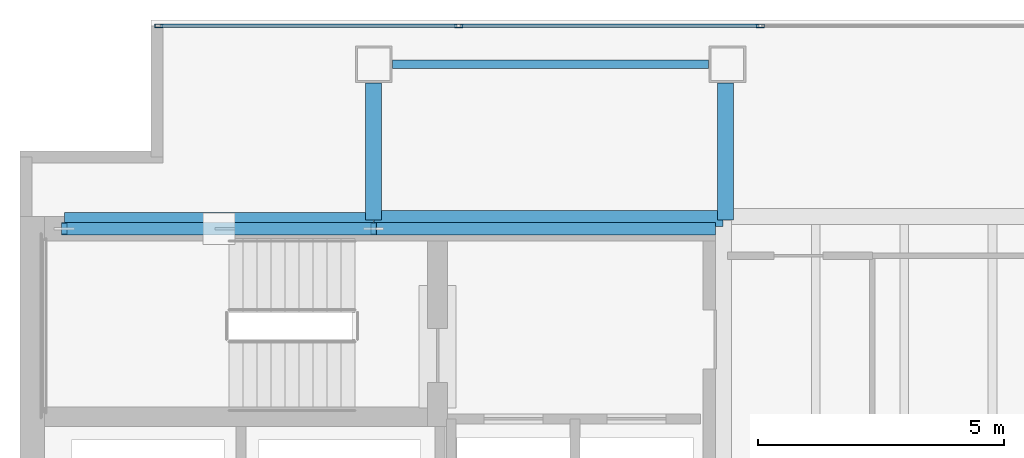
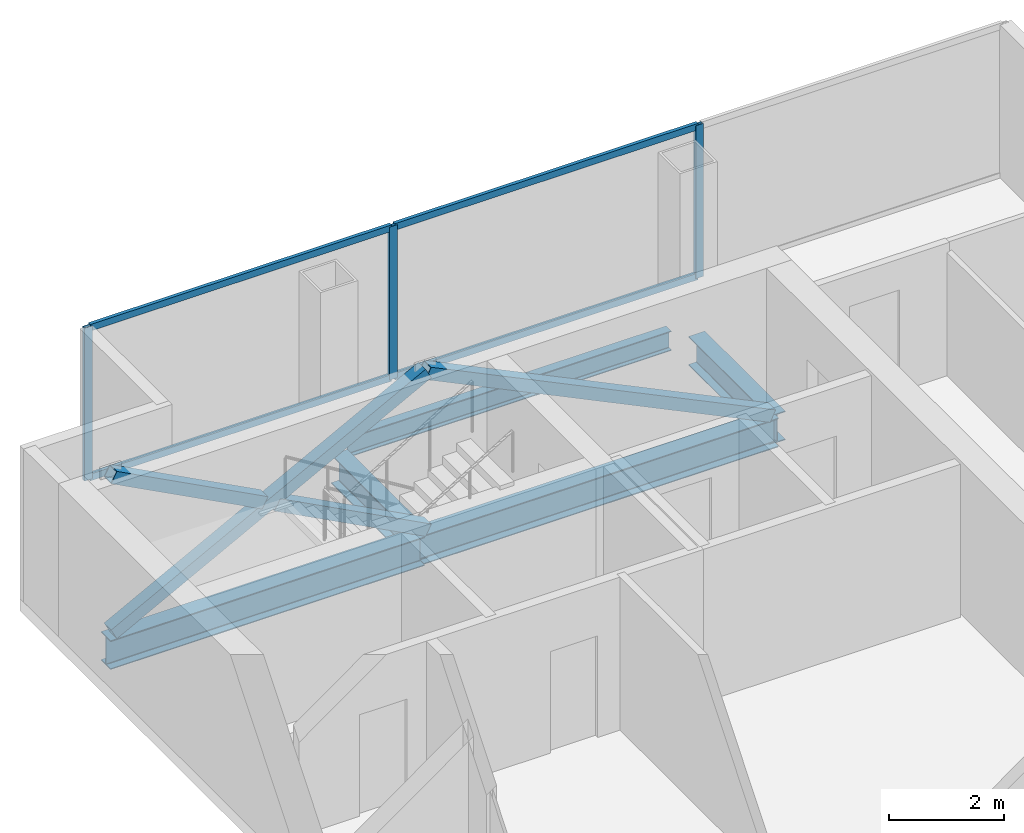
# One storey, part 17 of 23: 11 members, 5 beams, 1 element without a shape of its own.
"""IFC4 building model written with IfcOpenShell, lengths in metres."""

from ifc_helpers import new_model, si_unit, direction, frame, origin, origin_2d, place, context, subcontext, project, spatial, hollow_rectangle, i_section, extrude, material, material_profile, profile_set, type_object, element, aggregate, save


model = new_model("IFC4")

# Units and contexts
model_context = context("Model", 3, precision=1e-05, world=origin(), true_north=direction((0.0, 1.0)))
body_context = subcontext(model_context, "Body", "Model", "MODEL_VIEW")
ifc_project = project(units=[si_unit("LENGTHUNIT", "METRE"), si_unit("AREAUNIT", "SQUARE_METRE"), si_unit("VOLUMEUNIT", "CUBIC_METRE"), si_unit("PLANEANGLEUNIT", "RADIAN"), si_unit("MASSUNIT", "GRAM", prefix="KILO")], contexts=[model_context])

# Site, building, storey
site_placement = place(None, origin())
site = spatial("IfcSite", under=ifc_project, at=site_placement, CompositionType="ELEMENT")
building_placement = place(site_placement, origin())
building = spatial("IfcBuilding", under=site, at=building_placement, Name="Cobrela Telecom Tower", CompositionType="ELEMENT")
storey_placement = place(building_placement, frame((0.0, 0.0, 218.75)))
storey = spatial("IfcBuildingStorey", under=building, at=storey_placement, Name="L56", CompositionType="ELEMENT", Elevation=218.75)

# Beams
ifc_material_1 = material(Name="Steel ASTM A992 Grade 50", Category="steel")
ifc_material_profile_1 = material_profile(ifc_material_1, i_section(OverallWidth=0.324951171875, OverallDepth=0.612060546875, WebThickness=0.0126953125, FlangeThickness=0.01904296875, FilletRadius=0.014892578125, at=origin_2d()), Name="W24X104")
ifc_profile_set_1 = profile_set([ifc_material_profile_1], Name="Steel ASTM A992 Grade 50")
beam_type_1 = type_object("IfcBeamType", Name="BM-GIRD-07", PredefinedType="USERDEFINED", material=ifc_profile_set_1)
beam_1_placement = place(storey_placement, frame((0.905029296875, 35.919921875, -0.56591796875), z_axis=(1.0, 0.0, 0.0), x_axis=(0.0, 1.0, 0.0)))
element("IfcBeam", 1, at=beam_1_placement, inside=storey, type_object=beam_type_1, Name="L56 Primary Girder X20", ObjectType="GIRDER", PredefinedType="USERDEFINED", context=body_context, shape_type="SweptSolid", body=[
    extrude(i_section(OverallWidth=0.324951171875, OverallDepth=0.612060546875, WebThickness=0.0126953125, FlangeThickness=0.01904296875, FilletRadius=0.014892578125, at=origin_2d()), origin(), (0.0, 0.0, 1.0), 6.2900390625),
])
beam_2_placement = place(storey_placement, frame((7.205078125, 35.9599609375, -0.56591796875), z_axis=(1.0, 0.0, 0.0), x_axis=(0.0, 1.0, 0.0)))
element("IfcBeam", 2, at=beam_2_placement, inside=storey, type_object=beam_type_1, Name="L56 Primary Girder X21", ObjectType="GIRDER", PredefinedType="USERDEFINED", context=body_context, shape_type="SweptSolid", body=[
    extrude(i_section(OverallWidth=0.324951171875, OverallDepth=0.612060546875, WebThickness=0.0126953125, FlangeThickness=0.01904296875, FilletRadius=0.014892578125, at=origin_2d()), origin(), (0.0, 0.0, 1.0), 7.10986328125),
])
for number, where, z_axis, x_axis, name in (
    (3, (7.199951171875, 35.925048828125, -0.56591796875), (0.0, 1.0, 0.0), (-1.0, 0.0, 0.0), "L56 Primary Girder Y25"),
    (4, (14.360107421875, 35.925048828125, -0.56591796875), (0.0, 1.0, 0.0), (-1.0, 0.0, 0.0), "L56 Primary Girder Y31"),
):
    element("IfcBeam", number, at=place(storey_placement, frame(where, z_axis=z_axis, x_axis=x_axis)), inside=storey, type_object=beam_type_1, Name=name, ObjectType="GIRDER", PredefinedType="USERDEFINED", context=body_context, shape_type="SweptSolid", body=[
        extrude(i_section(OverallWidth=0.324951171875, OverallDepth=0.612060546875, WebThickness=0.0126953125, FlangeThickness=0.01904296875, FilletRadius=0.014892578125, at=origin_2d()), origin(), (0.0, 0.0, 1.0), 2.794921875),
    ])
ifc_material_profile_2 = material_profile(ifc_material_1, i_section(OverallWidth=0.179931640625, OverallDepth=0.4169921875, WebThickness=0.010986328125, FlangeThickness=0.01806640625, FilletRadius=0.011962890625, at=origin_2d()), Name="W16X57")
ifc_profile_set_2 = profile_set([ifc_material_profile_2], Name="Steel ASTM A992 Grade 50")
beam_type_2 = type_object("IfcBeamType", Name="BM-SPAND-06", PredefinedType="SPANDREL", material=ifc_profile_set_2)
beam_3_placement = place(storey_placement, frame((7.580078125, 39.10009765625, -0.468505859375), z_axis=(1.0, 0.0, 0.0), x_axis=(0.0, 1.0, 0.0)))
element("IfcBeam", 5, at=beam_3_placement, inside=storey, type_object=beam_type_2, Name="L56 Perimeter Spandrel X23", PredefinedType="SPANDREL", context=body_context, shape_type="SweptSolid", body=[
    extrude(i_section(OverallWidth=0.179931640625, OverallDepth=0.4169921875, WebThickness=0.010986328125, FlangeThickness=0.01806640625, FilletRadius=0.011962890625, at=origin_2d()), origin(), (0.0, 0.0, 1.0), 6.43994140625),
])

# Curtain wall, members
ifc_material_2 = material(Name="Anodized Bronze Aluminium 6063-T6", Category="aluminium")
curtain_wall_type = type_object("IfcCurtainWallType", Name="CW-SYS-OFF-LO", PredefinedType="USERDEFINED", material=ifc_material_2)
curtain_wall_placement = place(storey_placement, origin())
curtain_wall = element("IfcCurtainWall", 6, at=curtain_wall_placement, inside=storey, type_object=curtain_wall_type, Name="L56 Unitised Bronze Curtain Wall 07", ObjectType="UNITISED CURTAIN WALL", PredefinedType="USERDEFINED")
ifc_material_profile_3 = material_profile(ifc_material_2, hollow_rectangle(XDim=0.070068359375, YDim=0.159912109375, WallThickness=0.00390625, at=origin_2d()), Name="ALU 70x160x4")
ifc_profile_set_3 = profile_set([ifc_material_profile_3], Name="Anodized Bronze Aluminium 6063-T6")
member_type_1 = type_object("IfcMemberType", Name="CW-SYS-OFF-LO-MUL", PredefinedType="MULLION", material=ifc_profile_set_3)
member_1_placement = place(storey_placement, frame((2.824951171875, 39.8798828125, 0.0), z_axis=(0.0, 0.0, 1.0), x_axis=(0.0, 1.0, 0.0)))
member_1 = element("IfcMember", 7, at=member_1_placement, type_object=member_type_1, Name="CW-OFF-LO mullion 1", PredefinedType="MULLION", context=body_context, shape_type="SweptSolid", body=[
    extrude(hollow_rectangle(XDim=0.070068359375, YDim=0.159912109375, WallThickness=0.00390625, at=origin_2d()), origin(), (0.0, 0.0, 1.0), 3.239990234375),
])
member_2_placement = place(storey_placement, frame((8.929931640625, 39.8798828125, 0.0), z_axis=(0.0, 0.0, 1.0), x_axis=(0.0, 1.0, 0.0)))
member_2 = element("IfcMember", 8, at=member_2_placement, type_object=member_type_1, Name="CW-OFF-LO mullion 2", PredefinedType="MULLION", context=body_context, shape_type="SweptSolid", body=[
    extrude(hollow_rectangle(XDim=0.070068359375, YDim=0.159912109375, WallThickness=0.00390625, at=origin_2d()), origin(), (0.0, 0.0, 1.0), 3.239990234375),
])
member_3_placement = place(storey_placement, frame((15.070068359375, 39.8798828125, 0.0), z_axis=(0.0, 0.0, 1.0), x_axis=(0.0, 1.0, 0.0)))
member_3 = element("IfcMember", 9, at=member_3_placement, type_object=member_type_1, Name="CW-OFF-LO mullion 3", PredefinedType="MULLION", context=body_context, shape_type="SweptSolid", body=[
    extrude(hollow_rectangle(XDim=0.070068359375, YDim=0.159912109375, WallThickness=0.00390625, at=origin_2d()), origin(), (0.0, 0.0, 1.0), 3.239990234375),
])
ifc_material_profile_4 = material_profile(ifc_material_2, hollow_rectangle(XDim=0.070068359375, YDim=0.139892578125, WallThickness=0.00390625, at=origin_2d()), Name="ALU 70x140x4")
ifc_profile_set_4 = profile_set([ifc_material_profile_4], Name="Anodized Bronze Aluminium 6063-T6")
member_type_2 = type_object("IfcMemberType", Name="CW-SYS-OFF-LO-TRN", PredefinedType="USERDEFINED", material=ifc_profile_set_4)
member_4_placement = place(storey_placement, frame((2.860107421875, 39.8798828125, 0.034912109375), z_axis=(1.0, 0.0, 0.0), x_axis=(0.0, 1.0, 0.0)))
member_4 = element("IfcMember", 10, at=member_4_placement, type_object=member_type_2, Name="CW-OFF-LO transom 1.1", ObjectType="TRANSOM", PredefinedType="USERDEFINED", context=body_context, shape_type="SweptSolid", body=[
    extrude(hollow_rectangle(XDim=0.070068359375, YDim=0.139892578125, WallThickness=0.00390625, at=origin_2d()), origin(), (0.0, 0.0, 1.0), 6.034912109375),
])
member_5_placement = place(storey_placement, frame((2.860107421875, 39.8798828125, 3.205078125), z_axis=(1.0, 0.0, 0.0), x_axis=(0.0, 1.0, 0.0)))
member_5 = element("IfcMember", 11, at=member_5_placement, type_object=member_type_2, Name="CW-OFF-LO transom 1.2", ObjectType="TRANSOM", PredefinedType="USERDEFINED", context=body_context, shape_type="SweptSolid", body=[
    extrude(hollow_rectangle(XDim=0.070068359375, YDim=0.139892578125, WallThickness=0.00390625, at=origin_2d()), origin(), (0.0, 0.0, 1.0), 6.034912109375),
])
member_6_placement = place(storey_placement, frame((8.965087890625, 39.8798828125, 0.034912109375), z_axis=(1.0, 0.0, 0.0), x_axis=(0.0, 1.0, 0.0)))
member_6 = element("IfcMember", 12, at=member_6_placement, type_object=member_type_2, Name="CW-OFF-LO transom 2.1", ObjectType="TRANSOM", PredefinedType="USERDEFINED", context=body_context, shape_type="SweptSolid", body=[
    extrude(hollow_rectangle(XDim=0.070068359375, YDim=0.139892578125, WallThickness=0.00390625, at=origin_2d()), origin(), (0.0, 0.0, 1.0), 6.06982421875),
])
member_7_placement = place(storey_placement, frame((8.965087890625, 39.8798828125, 3.205078125), z_axis=(1.0, 0.0, 0.0), x_axis=(0.0, 1.0, 0.0)))
member_7 = element("IfcMember", 13, at=member_7_placement, type_object=member_type_2, Name="CW-OFF-LO transom 2.2", ObjectType="TRANSOM", PredefinedType="USERDEFINED", context=body_context, shape_type="SweptSolid", body=[
    extrude(hollow_rectangle(XDim=0.070068359375, YDim=0.139892578125, WallThickness=0.00390625, at=origin_2d()), origin(), (0.0, 0.0, 1.0), 6.06982421875),
])
aggregate(curtain_wall, [member_1, member_2, member_3, member_4, member_5, member_6, member_7])

# Members
ifc_material_3 = material(Name="Steel ASTM A572 Grade 50", Category="steel")
ifc_material_profile_5 = material_profile(ifc_material_3, hollow_rectangle(XDim=0.25, YDim=0.25, WallThickness=0.013916015625, at=origin_2d()), Name="HSS 250x250x14")
ifc_profile_set_5 = profile_set([ifc_material_profile_5], Name="Steel ASTM A572 Grade 50")
member_type_3 = type_object("IfcMemberType", Name="MBR-EXO-04", PredefinedType="BRACE", material=ifc_profile_set_5)
member_8_placement = place(storey_placement, frame((0.89990234375, 35.75, -0.0400390625), z_axis=(0.884671945606, 0.0, 0.466214058837), x_axis=(0.0, 1.0, 0.0)))
element("IfcMember", 14, at=member_8_placement, inside=storey, type_object=member_type_3, Name="L56 Core Flange Steel X-Brace Continuous A", PredefinedType="BRACE", context=body_context, shape_type="SweptSolid", body=[
    extrude(hollow_rectangle(XDim=0.25, YDim=0.25, WallThickness=0.013916015625, at=origin_2d()), origin(), (0.0, 0.0, 1.0), 7.121337890625),
])
for number, where, z_axis, x_axis, name in (
    (15, (7.199951171875, 35.75, -0.0400390625), (-0.884673479945, 0.0, 0.466211147317), (0.0, -1.0, 0.0), "L56 Core Flange Steel X-Brace Split B1"),
    (16, (3.926025390625, 35.75, 1.685302734375), (-0.884673479945, 0.0, 0.466211147317), (0.0, -1.0, 0.0), "L56 Core Flange Steel X-Brace Split B2"),
):
    element("IfcMember", number, at=place(storey_placement, frame(where, z_axis=z_axis, x_axis=x_axis)), inside=storey, type_object=member_type_3, Name=name, PredefinedType="BRACE", context=body_context, shape_type="SweptSolid", body=[
        extrude(hollow_rectangle(XDim=0.25, YDim=0.25, WallThickness=0.013916015625, at=origin_2d()), origin(), (0.0, 0.0, 1.0), 3.420654296875),
    ])
member_9_placement = place(storey_placement, frame((14.10009765625, 35.75, -0.0400390625), z_axis=(-0.901115182893, 0.0, 0.43357978177), x_axis=(0.0, -1.0, 0.0)))
element("IfcMember", 17, at=member_9_placement, inside=storey, type_object=member_type_3, Name="L56 Core Flange Steel Brace N2", PredefinedType="BRACE", context=body_context, shape_type="SweptSolid", body=[
    extrude(hollow_rectangle(XDim=0.25, YDim=0.25, WallThickness=0.013916015625, at=origin_2d()), origin(), (0.0, 0.0, 1.0), 7.6572265625),
])

save(model, "model.ifc")
